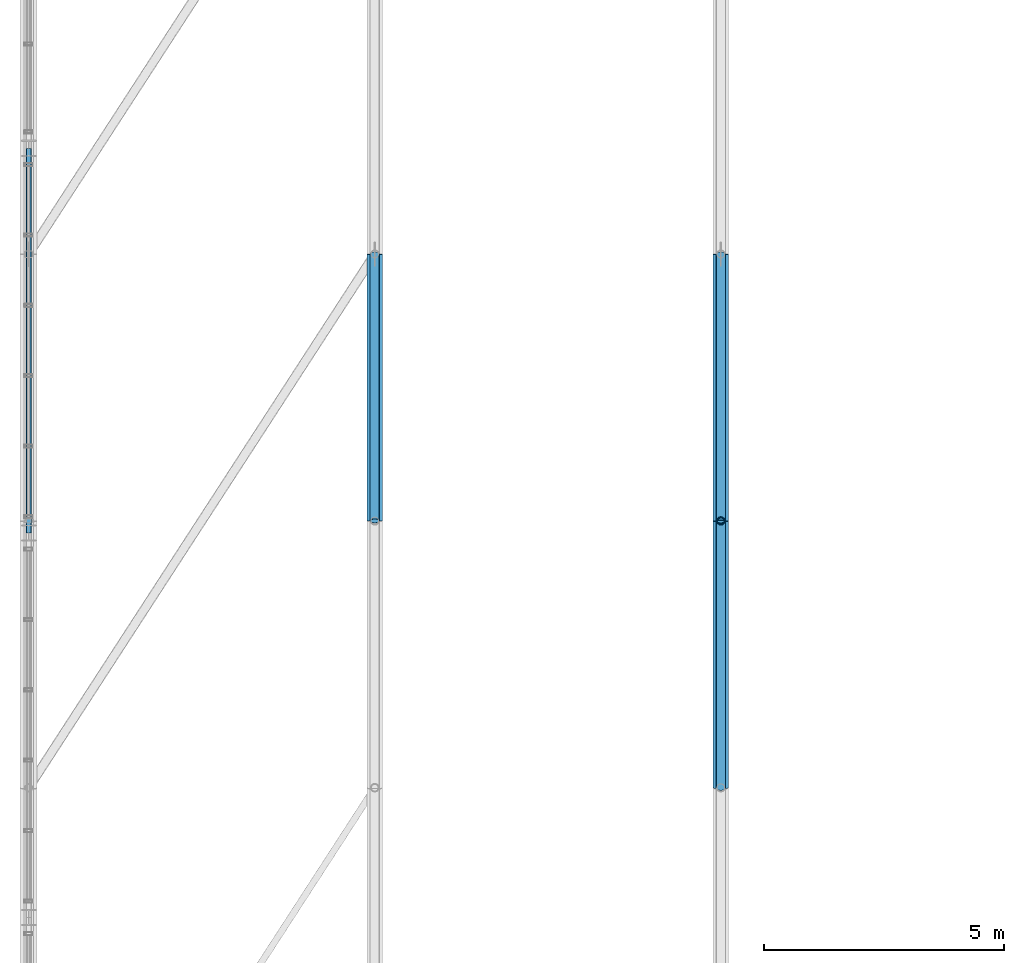
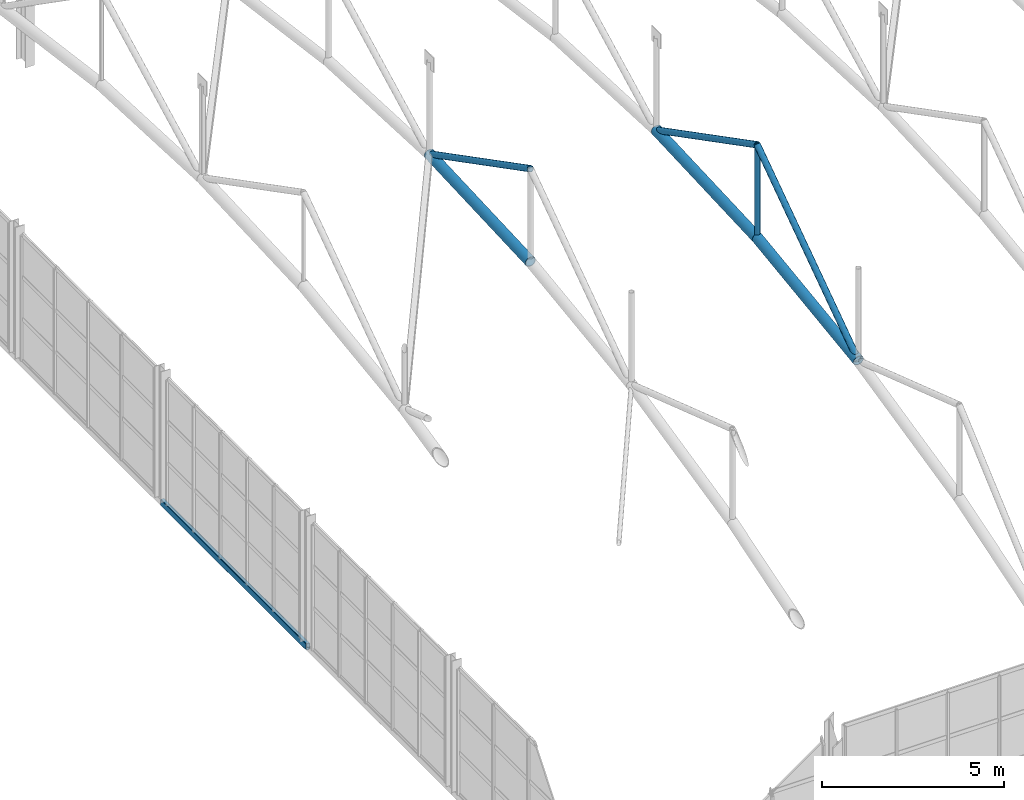
# One storey, part 32 of 153: 7 members, 1 beam.
"""IFC4 building model written with IfcOpenShell, lengths in metres."""

import ifcopenshell
import ifcopenshell.guid

model = None  # the IFC model being written
_history = None  # IfcOwnerHistory: only IFC2X3 demands one
_inside = {}  # id of a spatial element -> (the spatial element, [elements in it])
_under = {}  # id of a project, library or spatial element -> (it, [spatial elements below it])
_declared = {}  # id of a project -> (the project, [libraries it declares])
_typed = {}  # id of a type object -> (the type object, [elements of that type])
_made_of = {}  # id of a material, layer set ... -> (it, [elements and type objects made of it])


def new_model(schema):
    """Start an empty IFC model of exactly this schema.

    Asked for "IFC4X3", IfcOpenShell would pick the latest addendum, in which some entities
    have other attributes; the version numbers below select the first issue.
    IFC2X3 requires an IfcOwnerHistory on every rooted entity: one is made here for all.
    """
    global model, _history
    if schema == "IFC4X3":
        model = ifcopenshell.file(schema_version=(4, 3, 0, 0))
    else:
        model = ifcopenshell.file(schema=schema)
    _inside.clear()
    _under.clear()
    _declared.clear()
    _typed.clear()
    _made_of.clear()
    _history = None
    if model.schema == "IFC2X3":
        org = make("IfcOrganization", Name="unknown")
        user = make(
            "IfcPersonAndOrganization",
            ThePerson=make("IfcPerson", FamilyName="unknown"),
            TheOrganization=org,
        )
        app = make(
            "IfcApplication",
            ApplicationDeveloper=org,
            Version="unknown",
            ApplicationFullName="unknown",
            ApplicationIdentifier="unknown",
        )
        _history = make(
            "IfcOwnerHistory",
            OwningUser=user,
            OwningApplication=app,
            ChangeAction="ADDED",
            CreationDate=0,
        )
    return model


def make(cls, **values):
    """One entity of the class cls with the attributes given. An attribute that is None is left unset."""
    return model.create_entity(
        cls, **{name: value for name, value in values.items() if value is not None}
    )


def rooted(cls, **values):
    """An entity with a GlobalId (a new one), such as an element, a storey or a relation."""
    return make(cls, GlobalId=ifcopenshell.guid.new(), OwnerHistory=_history, **values)


def si_unit(unit_type, name, prefix=None):
    """IfcSIUnit, for example si_unit("LENGTHUNIT", "METRE", prefix="MILLI")."""
    return make("IfcSIUnit", UnitType=unit_type, Prefix=prefix, Name=name)


def derived_unit(unit_type, elements):
    """IfcDerivedUnit: a product of units, each with its exponent."""
    return make(
        "IfcDerivedUnit",
        Elements=[
            make("IfcDerivedUnitElement", Unit=unit, Exponent=power)
            for unit, power in elements
        ],
        UnitType=unit_type,
    )


def assignment(units):
    """IfcUnitAssignment: the units of a project."""
    return None if units is None else make("IfcUnitAssignment", Units=units)


def point(xyz):
    """IfcCartesianPoint."""
    return None if xyz is None else make("IfcCartesianPoint", Coordinates=xyz)


def direction(xyz):
    """IfcDirection."""
    return None if xyz is None else make("IfcDirection", DirectionRatios=xyz)


def frame(location, z_axis=None, x_axis=None):
    """IfcAxis2Placement3D, a coordinate frame: its origin and axes. An axis left out is left unset."""
    return make(
        "IfcAxis2Placement3D",
        Location=point(location),
        Axis=direction(z_axis),
        RefDirection=direction(x_axis),
    )


def frame_2d(location, x_axis=None):
    """IfcAxis2Placement2D, a coordinate frame in the plane: its origin and x axis."""
    return make(
        "IfcAxis2Placement2D", Location=point(location), RefDirection=direction(x_axis)
    )


def origin():
    """The frame at (0, 0, 0) with its axes left unset."""
    return frame((0.0, 0.0, 0.0))


def origin_2d():
    """The frame at (0, 0) in the plane with its x axis left unset."""
    return frame_2d((0.0, 0.0))


def place(relative_to, where):
    """IfcLocalPlacement: puts the frame where relative to a parent placement (None: the world)."""
    return make(
        "IfcLocalPlacement", PlacementRelTo=relative_to, RelativePlacement=where
    )


def context(
    kind, dimensions, precision=None, world=None, true_north=None, identifier=None
):
    """IfcGeometricRepresentationContext, for example the 3D "Model" context."""
    return make(
        "IfcGeometricRepresentationContext",
        ContextIdentifier=identifier,
        ContextType=kind,
        CoordinateSpaceDimension=dimensions,
        Precision=precision,
        WorldCoordinateSystem=world,
        TrueNorth=true_north,
    )


def subcontext(parent, identifier, kind, view, scale=None):
    """IfcGeometricRepresentationSubContext, for example "Body" below "Model"."""
    return make(
        "IfcGeometricRepresentationSubContext",
        ContextIdentifier=identifier,
        ContextType=kind,
        ParentContext=parent,
        TargetScale=scale,
        TargetView=view,
    )


def project(units=None, contexts=None):
    """IfcProject with its units and contexts."""
    return rooted(
        "IfcProject",
        Name="project",
        RepresentationContexts=contexts,
        UnitsInContext=assignment(units),
    )


def spatial(cls, under=None, at=None, **own):
    """A site, building, storey or space (cls), placed at a placement, below another one or the project."""
    s = rooted(cls, ObjectPlacement=at, **own)
    if under is not None:
        _under.setdefault(under.id(), (under, []))[1].append(s)
    return s


def profile(cls, at=None, kind="AREA", **sizes):
    """A parametric profile (cls). Its sizes go by their IFC names, for example OverallWidth=200.0."""
    return make(cls, ProfileType=kind, Position=at, **sizes)


def hollow_rectangle(**sizes):
    """IfcRectangleHollowProfileDef."""
    return profile("IfcRectangleHollowProfileDef", **sizes)


def hollow_circle(**sizes):
    """IfcCircleHollowProfileDef."""
    return profile("IfcCircleHollowProfileDef", **sizes)


def extrude(swept, where, along, depth):
    """IfcExtrudedAreaSolid: the profile swept, set in the frame where, extruded along a direction by depth."""
    return make(
        "IfcExtrudedAreaSolid",
        SweptArea=swept,
        Position=where,
        ExtrudedDirection=direction(along),
        Depth=depth,
    )


def shape(context_of_items, identifier, shape_type, items):
    """IfcShapeRepresentation: the items that make up one representation, for example the "Body"."""
    return make(
        "IfcShapeRepresentation",
        ContextOfItems=context_of_items,
        RepresentationIdentifier=identifier,
        RepresentationType=shape_type,
        Items=items,
    )


def material(Name=None, Category=None):
    """IfcMaterial."""
    return make("IfcMaterial", Name=Name, Category=Category)


def material_profile(
    of_material, cross_section, Name=None, Category=None, Priority=None
):
    """IfcMaterialProfile: a cross section and its material."""
    return make(
        "IfcMaterialProfile",
        Name=Name,
        Material=of_material,
        Profile=cross_section,
        Priority=Priority,
        Category=Category,
    )


def profile_set(profiles, Name=None, composite=None):
    """IfcMaterialProfileSet."""
    return make(
        "IfcMaterialProfileSet",
        Name=Name,
        MaterialProfiles=profiles,
        CompositeProfile=composite,
    )


def made_of(thing, what):
    """Note that an element or type object is made of a material, layer set ...; save() writes the relation."""
    if what is not None:
        _made_of.setdefault(what.id(), (what, []))[1].append(thing)
    return thing


def type_object(cls, material=None, **own):
    """A type object (cls), such as IfcWallType, which elements share."""
    return made_of(rooted(cls, **own), material)


def element(
    cls,
    number,
    at=None,
    inside=None,
    cuts=None,
    type_object=None,
    material=None,
    context=None,
    identifier="Body",
    shape_type=None,
    held_by="IfcProductDefinitionShape",
    body=None,
    shapes=None,
    **own,
):
    """One element of the class cls, such as IfcWall. Its Tag is "e" and its number.

    at: its placement. inside: the storey or other place that contains it. cuts: it is an
    opening in that element (IfcRelVoidsElement). A single representation is given by context,
    identifier, shape_type and body (its items); several are given by shapes. held_by: the class
    of the entity that holds the representations. save() writes the other relations.
    """
    e = rooted(cls, Tag="e%d" % number, ObjectPlacement=at, **own)
    if body is not None:
        shapes = [shape(context, identifier, shape_type, body)]
    if shapes is not None:
        e.Representation = make(held_by, Representations=shapes)
    if inside is not None:
        _inside.setdefault(inside.id(), (inside, []))[1].append(e)
    if cuts is not None:
        rooted(
            "IfcRelVoidsElement", RelatingBuildingElement=cuts, RelatedOpeningElement=e
        )
    if type_object is not None:
        _typed.setdefault(type_object.id(), (type_object, []))[1].append(e)
    return made_of(e, material)


def aggregate(whole, parts):
    """IfcRelAggregates: a whole, such as a stair, and the parts it consists of."""
    return rooted("IfcRelAggregates", RelatingObject=whole, RelatedObjects=parts)


def save(model, path):
    """Write the relations noted so far, then the file.

    IfcRelAggregates (storeys below a building ...), IfcRelContainedInSpatialStructure (elements
    in a storey), IfcRelDefinesByType, IfcRelAssociatesMaterial and IfcRelDeclares: one each for
    every whole, place, type object, material and project.
    """
    for whole, parts in _under.values():
        aggregate(whole, parts)
    for where, things in _inside.values():
        rooted(
            "IfcRelContainedInSpatialStructure",
            RelatedElements=things,
            RelatingStructure=where,
        )
    for kind, things in _typed.values():
        rooted("IfcRelDefinesByType", RelatedObjects=things, RelatingType=kind)
    for what, things in _made_of.values():
        rooted("IfcRelAssociatesMaterial", RelatedObjects=things, RelatingMaterial=what)
    for by, libraries in _declared.values():
        rooted("IfcRelDeclares", RelatingContext=by, RelatedDefinitions=libraries)
    model.write(path)


model = new_model("IFC4")

# Units and contexts
model_context = context("Model", 3, precision=1e-05, world=origin(), true_north=direction((0.0, 1.0)))
body_context = subcontext(model_context, "Body", "Model", "MODEL_VIEW")
ifc_project = project(units=[si_unit("LENGTHUNIT", "METRE"), si_unit("AREAUNIT", "SQUARE_METRE"), si_unit("VOLUMEUNIT", "CUBIC_METRE"), si_unit("PLANEANGLEUNIT", "RADIAN"), si_unit("MASSUNIT", "GRAM", prefix="KILO"), derived_unit("THERMALTRANSMITTANCEUNIT", [(si_unit("POWERUNIT", "WATT"), 1), (si_unit("LENGTHUNIT", "METRE"), -2), (si_unit("THERMODYNAMICTEMPERATUREUNIT", "KELVIN"), -1)])], contexts=[model_context])

# Site, building, storey
site_placement = place(None, origin())
site = spatial("IfcSite", under=ifc_project, at=site_placement, CompositionType="ELEMENT")
building_placement = place(site_placement, origin())
building = spatial("IfcBuilding", under=site, at=building_placement, Name="Keldorne Ridge Multi-Sports Centre", CompositionType="ELEMENT")
storey_placement = place(building_placement, frame((0.0, 0.0, 9.60009765625)))
storey = spatial("IfcBuildingStorey", under=building, at=storey_placement, Name="L02", CompositionType="ELEMENT", Elevation=9.60009765625)

# Beam
ifc_material = material(Name="Steel S355", Category="steel")
ifc_material_profile_1 = material_profile(ifc_material, hollow_rectangle(XDim=0.1201171875, YDim=0.219970703125, WallThickness=0.010009765625, InnerFilletRadius=0.010009765625, OuterFilletRadius=0.02001953125, at=origin_2d()), Name="RHS 220x120x10")
ifc_profile_set_1 = profile_set([ifc_material_profile_1], Name="Steel S355")
beam_type = type_object("IfcBeamType", Name="BM-SP-07", PredefinedType="SPANDREL", material=ifc_profile_set_1)
beam_placement = place(storey_placement, frame((6.0, 26.0, -0.110107421875), z_axis=(0.0, 1.0, 0.0), x_axis=(-1.0, 0.0, 0.0)))
element("IfcBeam", 1, at=beam_placement, inside=storey, type_object=beam_type, Name="Main Hall west gable spandrel L02.3", PredefinedType="SPANDREL", context=body_context, shape_type="SweptSolid", body=[
    extrude(hollow_rectangle(XDim=0.1201171875, YDim=0.219970703125, WallThickness=0.010009765625, InnerFilletRadius=0.010009765625, OuterFilletRadius=0.02001953125, at=origin_2d()), origin(), (0.0, 0.0, 1.0), 8.0),
])

# Members
ifc_material_profile_2 = material_profile(ifc_material, hollow_circle(Radius=0.161865234375, WallThickness=0.01611328125, at=origin_2d()), Name="CHS 323.9x16")
ifc_profile_set_2 = profile_set([ifc_material_profile_2], Name="Steel S355")
member_type_1 = type_object("IfcMemberType", Name="MEM-TC-02", PredefinedType="CHORD", material=ifc_profile_set_2)
member_1_placement = place(storey_placement, frame((13.199951171875, 26.25, 10.1298828125), z_axis=(0.0, 0.99898703105, 0.044999019918), x_axis=(-1.0, 0.0, 0.0)))
element("IfcMember", 2, at=member_1_placement, inside=storey, type_object=member_type_1, Name="Main Hall ROOF TRUSS AT-02 bottom chord 4", PredefinedType="CHORD", context=body_context, shape_type="SweptSolid", body=[
    extrude(hollow_circle(Radius=0.161865234375, WallThickness=0.01611328125, at=origin_2d()), origin(), (0.0, 0.0, 1.0), 5.5556640625),
])
member_2_placement = place(storey_placement, frame((20.39990234375, 20.699951171875, 7.659912109375), z_axis=(0.0, 0.990992586768, 0.13391673895), x_axis=(-1.0, 0.0, 0.0)))
element("IfcMember", 3, at=member_2_placement, inside=storey, type_object=member_type_1, Name="Main Hall ROOF TRUSS AT-03 bottom chord 3", PredefinedType="CHORD", context=body_context, shape_type="SweptSolid", body=[
    extrude(hollow_circle(Radius=0.161865234375, WallThickness=0.01611328125, at=origin_2d()), origin(), (0.0, 0.0, 1.0), 5.6005859375),
])
member_3_placement = place(storey_placement, frame((20.39990234375, 26.25, 8.409912109375), z_axis=(0.0, 0.99898703105, 0.044999019918), x_axis=(-1.0, 0.0, 0.0)))
element("IfcMember", 4, at=member_3_placement, inside=storey, type_object=member_type_1, Name="Main Hall ROOF TRUSS AT-03 bottom chord 4", PredefinedType="CHORD", context=body_context, shape_type="SweptSolid", body=[
    extrude(hollow_circle(Radius=0.161865234375, WallThickness=0.01611328125, at=origin_2d()), origin(), (0.0, 0.0, 1.0), 5.5556640625),
])
ifc_material_profile_3 = material_profile(ifc_material, hollow_circle(Radius=0.096923828125, WallThickness=0.010009765625, at=origin_2d()), Name="CHS 193.7x10")
ifc_profile_set_3 = profile_set([ifc_material_profile_3], Name="Steel S355")
member_type_2 = type_object("IfcMemberType", Name="MEM-TD-01", PredefinedType="BRACE", material=ifc_profile_set_3)
member_4_placement = place(storey_placement, frame((13.199951171875, 26.25, 13.25), z_axis=(0.0, 0.888256676743, -0.459347446082), x_axis=(-1.0, 0.0, 0.0)))
element("IfcMember", 5, at=member_4_placement, inside=storey, type_object=member_type_2, Name="Main Hall ROOF TRUSS AT-02 diagonal 4", PredefinedType="BRACE", context=body_context, shape_type="SweptSolid", body=[
    extrude(hollow_circle(Radius=0.096923828125, WallThickness=0.010009765625, at=origin_2d()), origin(), (0.0, 0.0, 1.0), 6.248291015625),
])
member_5_placement = place(storey_placement, frame((20.39990234375, 20.699951171875, 7.659912109375), z_axis=(0.0, 0.820283254334, 0.571957500746), x_axis=(-1.0, 0.0, 0.0)))
element("IfcMember", 6, at=member_5_placement, inside=storey, type_object=member_type_2, Name="Main Hall ROOF TRUSS AT-03 diagonal 3", PredefinedType="BRACE", context=body_context, shape_type="SweptSolid", body=[
    extrude(hollow_circle(Radius=0.096923828125, WallThickness=0.010009765625, at=origin_2d()), origin(), (0.0, 0.0, 1.0), 6.76611328125),
])
member_6_placement = place(storey_placement, frame((20.39990234375, 26.25, 11.52978515625), z_axis=(0.0, 0.888272619181, -0.459316616305), x_axis=(-1.0, 0.0, 0.0)))
element("IfcMember", 7, at=member_6_placement, inside=storey, type_object=member_type_2, Name="Main Hall ROOF TRUSS AT-03 diagonal 4", PredefinedType="BRACE", context=body_context, shape_type="SweptSolid", body=[
    extrude(hollow_circle(Radius=0.096923828125, WallThickness=0.010009765625, at=origin_2d()), origin(), (0.0, 0.0, 1.0), 6.248046875),
])
ifc_material_profile_4 = material_profile(ifc_material, hollow_circle(Radius=0.084228515625, WallThickness=0.010009765625, at=origin_2d()), Name="CHS 168.3x10")
ifc_profile_set_4 = profile_set([ifc_material_profile_4], Name="Steel S355")
member_type_3 = type_object("IfcMemberType", Name="MEM-TV-01", PredefinedType="STRUT", material=ifc_profile_set_4)
member_7_placement = place(storey_placement, frame((20.39990234375, 26.25, 8.409912109375), z_axis=(0.0, 0.0, 1.0), x_axis=(1.0, 0.0, 0.0)))
element("IfcMember", 8, at=member_7_placement, inside=storey, type_object=member_type_3, Name="Main Hall ROOF TRUSS AT-03 vertical 4", PredefinedType="STRUT", context=body_context, shape_type="SweptSolid", body=[
    extrude(hollow_circle(Radius=0.084228515625, WallThickness=0.010009765625, at=origin_2d()), origin(), (0.0, 0.0, 1.0), 3.119873046875),
])

save(model, "model.ifc")
